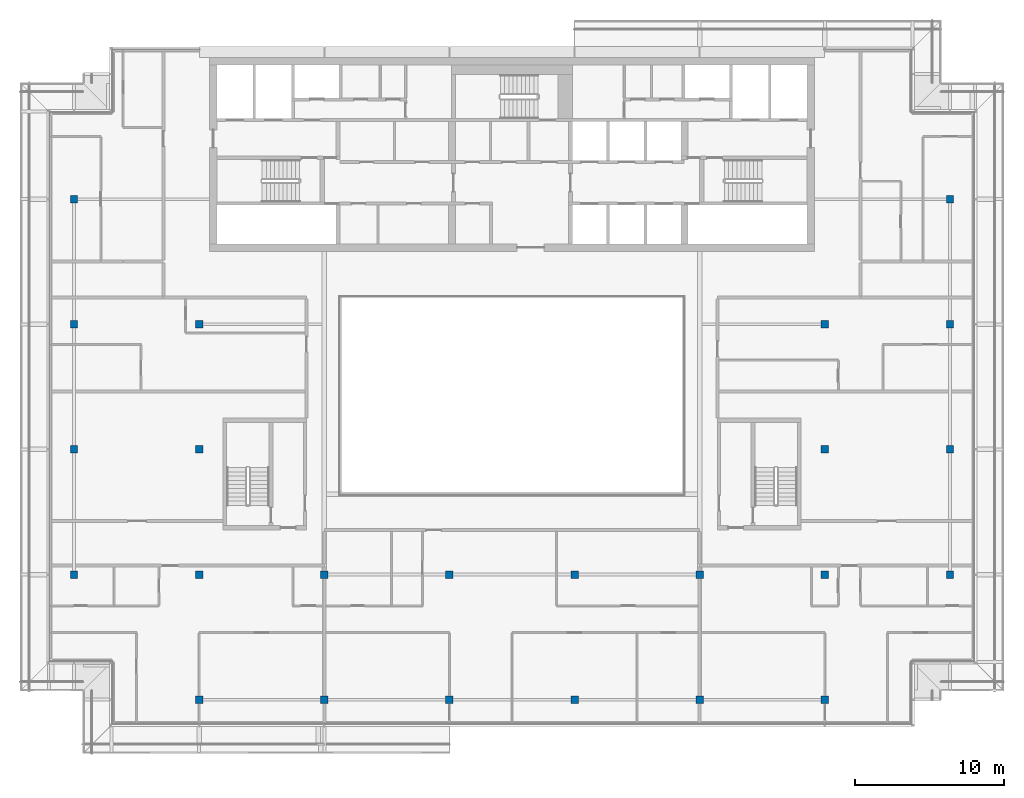
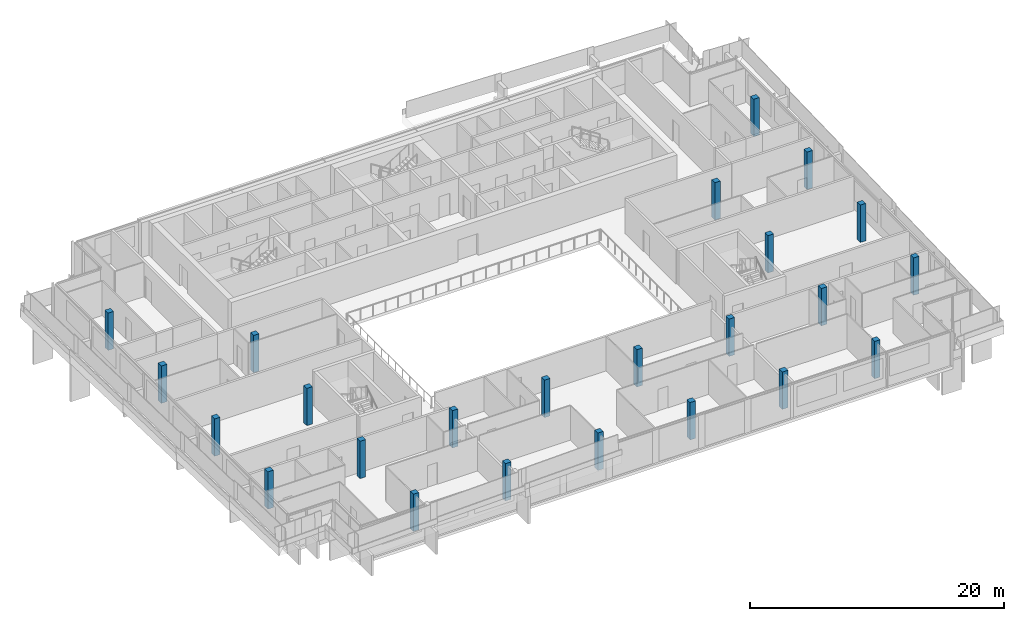
# One storey, part 1 of 27: 24 columns.
"""IFC4 building model written with IfcOpenShell, lengths in metres."""

import ifcopenshell
import ifcopenshell.guid

model = None  # the IFC model being written
_history = None  # IfcOwnerHistory: only IFC2X3 demands one
_inside = {}  # id of a spatial element -> (the spatial element, [elements in it])
_under = {}  # id of a project, library or spatial element -> (it, [spatial elements below it])
_declared = {}  # id of a project -> (the project, [libraries it declares])
_typed = {}  # id of a type object -> (the type object, [elements of that type])
_made_of = {}  # id of a material, layer set ... -> (it, [elements and type objects made of it])


def new_model(schema):
    """Start an empty IFC model of exactly this schema.

    Asked for "IFC4X3", IfcOpenShell would pick the latest addendum, in which some entities
    have other attributes; the version numbers below select the first issue.
    IFC2X3 requires an IfcOwnerHistory on every rooted entity: one is made here for all.
    """
    global model, _history
    if schema == "IFC4X3":
        model = ifcopenshell.file(schema_version=(4, 3, 0, 0))
    else:
        model = ifcopenshell.file(schema=schema)
    _inside.clear()
    _under.clear()
    _declared.clear()
    _typed.clear()
    _made_of.clear()
    _history = None
    if model.schema == "IFC2X3":
        org = make("IfcOrganization", Name="unknown")
        user = make(
            "IfcPersonAndOrganization",
            ThePerson=make("IfcPerson", FamilyName="unknown"),
            TheOrganization=org,
        )
        app = make(
            "IfcApplication",
            ApplicationDeveloper=org,
            Version="unknown",
            ApplicationFullName="unknown",
            ApplicationIdentifier="unknown",
        )
        _history = make(
            "IfcOwnerHistory",
            OwningUser=user,
            OwningApplication=app,
            ChangeAction="ADDED",
            CreationDate=0,
        )
    return model


def make(cls, **values):
    """One entity of the class cls with the attributes given. An attribute that is None is left unset."""
    return model.create_entity(
        cls, **{name: value for name, value in values.items() if value is not None}
    )


def rooted(cls, **values):
    """An entity with a GlobalId (a new one), such as an element, a storey or a relation."""
    return make(cls, GlobalId=ifcopenshell.guid.new(), OwnerHistory=_history, **values)


def si_unit(unit_type, name, prefix=None):
    """IfcSIUnit, for example si_unit("LENGTHUNIT", "METRE", prefix="MILLI")."""
    return make("IfcSIUnit", UnitType=unit_type, Prefix=prefix, Name=name)


def assignment(units):
    """IfcUnitAssignment: the units of a project."""
    return None if units is None else make("IfcUnitAssignment", Units=units)


def point(xyz):
    """IfcCartesianPoint."""
    return None if xyz is None else make("IfcCartesianPoint", Coordinates=xyz)


def direction(xyz):
    """IfcDirection."""
    return None if xyz is None else make("IfcDirection", DirectionRatios=xyz)


def frame(location, z_axis=None, x_axis=None):
    """IfcAxis2Placement3D, a coordinate frame: its origin and axes. An axis left out is left unset."""
    return make(
        "IfcAxis2Placement3D",
        Location=point(location),
        Axis=direction(z_axis),
        RefDirection=direction(x_axis),
    )


def frame_2d(location, x_axis=None):
    """IfcAxis2Placement2D, a coordinate frame in the plane: its origin and x axis."""
    return make(
        "IfcAxis2Placement2D", Location=point(location), RefDirection=direction(x_axis)
    )


def origin():
    """The frame at (0, 0, 0) with its axes left unset."""
    return frame((0.0, 0.0, 0.0))


def origin_2d():
    """The frame at (0, 0) in the plane with its x axis left unset."""
    return frame_2d((0.0, 0.0))


def place(relative_to, where):
    """IfcLocalPlacement: puts the frame where relative to a parent placement (None: the world)."""
    return make(
        "IfcLocalPlacement", PlacementRelTo=relative_to, RelativePlacement=where
    )


def context(
    kind, dimensions, precision=None, world=None, true_north=None, identifier=None
):
    """IfcGeometricRepresentationContext, for example the 3D "Model" context."""
    return make(
        "IfcGeometricRepresentationContext",
        ContextIdentifier=identifier,
        ContextType=kind,
        CoordinateSpaceDimension=dimensions,
        Precision=precision,
        WorldCoordinateSystem=world,
        TrueNorth=true_north,
    )


def subcontext(parent, identifier, kind, view, scale=None):
    """IfcGeometricRepresentationSubContext, for example "Body" below "Model"."""
    return make(
        "IfcGeometricRepresentationSubContext",
        ContextIdentifier=identifier,
        ContextType=kind,
        ParentContext=parent,
        TargetScale=scale,
        TargetView=view,
    )


def project(units=None, contexts=None):
    """IfcProject with its units and contexts."""
    return rooted(
        "IfcProject",
        Name="project",
        RepresentationContexts=contexts,
        UnitsInContext=assignment(units),
    )


def spatial(cls, under=None, at=None, **own):
    """A site, building, storey or space (cls), placed at a placement, below another one or the project."""
    s = rooted(cls, ObjectPlacement=at, **own)
    if under is not None:
        _under.setdefault(under.id(), (under, []))[1].append(s)
    return s


def profile(cls, at=None, kind="AREA", **sizes):
    """A parametric profile (cls). Its sizes go by their IFC names, for example OverallWidth=200.0."""
    return make(cls, ProfileType=kind, Position=at, **sizes)


def rectangle(**sizes):
    """IfcRectangleProfileDef."""
    return profile("IfcRectangleProfileDef", **sizes)


def extrude(swept, where, along, depth):
    """IfcExtrudedAreaSolid: the profile swept, set in the frame where, extruded along a direction by depth."""
    return make(
        "IfcExtrudedAreaSolid",
        SweptArea=swept,
        Position=where,
        ExtrudedDirection=direction(along),
        Depth=depth,
    )


def shape(context_of_items, identifier, shape_type, items):
    """IfcShapeRepresentation: the items that make up one representation, for example the "Body"."""
    return make(
        "IfcShapeRepresentation",
        ContextOfItems=context_of_items,
        RepresentationIdentifier=identifier,
        RepresentationType=shape_type,
        Items=items,
    )


def material(Name=None, Category=None):
    """IfcMaterial."""
    return make("IfcMaterial", Name=Name, Category=Category)


def material_profile(
    of_material, cross_section, Name=None, Category=None, Priority=None
):
    """IfcMaterialProfile: a cross section and its material."""
    return make(
        "IfcMaterialProfile",
        Name=Name,
        Material=of_material,
        Profile=cross_section,
        Priority=Priority,
        Category=Category,
    )


def profile_set(profiles, Name=None, composite=None):
    """IfcMaterialProfileSet."""
    return make(
        "IfcMaterialProfileSet",
        Name=Name,
        MaterialProfiles=profiles,
        CompositeProfile=composite,
    )


def made_of(thing, what):
    """Note that an element or type object is made of a material, layer set ...; save() writes the relation."""
    if what is not None:
        _made_of.setdefault(what.id(), (what, []))[1].append(thing)
    return thing


def type_object(cls, material=None, **own):
    """A type object (cls), such as IfcWallType, which elements share."""
    return made_of(rooted(cls, **own), material)


def element(
    cls,
    number,
    at=None,
    inside=None,
    cuts=None,
    type_object=None,
    material=None,
    context=None,
    identifier="Body",
    shape_type=None,
    held_by="IfcProductDefinitionShape",
    body=None,
    shapes=None,
    **own,
):
    """One element of the class cls, such as IfcWall. Its Tag is "e" and its number.

    at: its placement. inside: the storey or other place that contains it. cuts: it is an
    opening in that element (IfcRelVoidsElement). A single representation is given by context,
    identifier, shape_type and body (its items); several are given by shapes. held_by: the class
    of the entity that holds the representations. save() writes the other relations.
    """
    e = rooted(cls, Tag="e%d" % number, ObjectPlacement=at, **own)
    if body is not None:
        shapes = [shape(context, identifier, shape_type, body)]
    if shapes is not None:
        e.Representation = make(held_by, Representations=shapes)
    if inside is not None:
        _inside.setdefault(inside.id(), (inside, []))[1].append(e)
    if cuts is not None:
        rooted(
            "IfcRelVoidsElement", RelatingBuildingElement=cuts, RelatedOpeningElement=e
        )
    if type_object is not None:
        _typed.setdefault(type_object.id(), (type_object, []))[1].append(e)
    return made_of(e, material)


def aggregate(whole, parts):
    """IfcRelAggregates: a whole, such as a stair, and the parts it consists of."""
    return rooted("IfcRelAggregates", RelatingObject=whole, RelatedObjects=parts)


def save(model, path):
    """Write the relations noted so far, then the file.

    IfcRelAggregates (storeys below a building ...), IfcRelContainedInSpatialStructure (elements
    in a storey), IfcRelDefinesByType, IfcRelAssociatesMaterial and IfcRelDeclares: one each for
    every whole, place, type object, material and project.
    """
    for whole, parts in _under.values():
        aggregate(whole, parts)
    for where, things in _inside.values():
        rooted(
            "IfcRelContainedInSpatialStructure",
            RelatedElements=things,
            RelatingStructure=where,
        )
    for kind, things in _typed.values():
        rooted("IfcRelDefinesByType", RelatedObjects=things, RelatingType=kind)
    for what, things in _made_of.values():
        rooted("IfcRelAssociatesMaterial", RelatedObjects=things, RelatingMaterial=what)
    for by, libraries in _declared.values():
        rooted("IfcRelDeclares", RelatingContext=by, RelatedDefinitions=libraries)
    model.write(path)


model = new_model("IFC4")

# Units and contexts
model_context = context("Model", 3, precision=1e-05, world=origin(), true_north=direction((0.0, 1.0)))
body_context = subcontext(model_context, "Body", "Model", "MODEL_VIEW")
ifc_project = project(units=[si_unit("LENGTHUNIT", "METRE"), si_unit("AREAUNIT", "SQUARE_METRE"), si_unit("VOLUMEUNIT", "CUBIC_METRE"), si_unit("PLANEANGLEUNIT", "RADIAN"), si_unit("MASSUNIT", "GRAM", prefix="KILO")], contexts=[model_context])

# Site, building, storey
site_placement = place(None, origin())
site = spatial("IfcSite", under=ifc_project, at=site_placement, CompositionType="ELEMENT")
building_placement = place(site_placement, origin())
building = spatial("IfcBuilding", under=site, at=building_placement, Name="Saffron Gate Tower", CompositionType="ELEMENT")
storey_placement = place(building_placement, frame((0.0, 0.0, 274.35009765625)))
storey = spatial("IfcBuildingStorey", under=building, at=storey_placement, Name="L66", CompositionType="ELEMENT", Elevation=274.35009765625)

# Columns
ifc_material = material(Name="Concrete C40", Category="concrete")
ifc_material_profile = material_profile(ifc_material, rectangle(XDim=0.5, YDim=0.5, at=origin_2d()))
ifc_profile_set = profile_set([ifc_material_profile], Name="Concrete C40")
column_type = type_object("IfcColumnType", Name="C1 RC 500x500 CONCRETE C40", PredefinedType="COLUMN", material=ifc_profile_set)
for number, where, z_axis, x_axis, name in (
    (1, (58.199951171875, 40.199951171875, 0.0), (0.0, 0.0, 1.0), (1.0, 0.0, 0.0), "C1 COLUMN X2-B"),
    (2, (58.199951171875, 48.60009765625, 0.0), (0.0, 0.0, 1.0), (1.0, 0.0, 0.0), "C1 COLUMN X2-C"),
    (3, (58.199951171875, 57.0, 0.0), (0.0, 0.0, 1.0), (1.0, 0.0, 0.0), "C1 COLUMN X2-D"),
    (4, (58.199951171875, 65.39990234375, 0.0), (0.0, 0.0, 1.0), (1.0, 0.0, 0.0), "C1 COLUMN X2-E"),
    (5, (66.60009765625, 31.800048828125, 0.0), (0.0, 0.0, 1.0), (1.0, 0.0, 0.0), "C1 COLUMN X3-A"),
    (6, (66.60009765625, 40.199951171875, 0.0), (0.0, 0.0, 1.0), (1.0, 0.0, 0.0), "C1 COLUMN X3-B"),
    (7, (66.60009765625, 48.60009765625, 0.0), (0.0, 0.0, 1.0), (1.0, 0.0, 0.0), "C1 COLUMN X3-C"),
    (8, (66.60009765625, 57.0, 0.0), (0.0, 0.0, 1.0), (1.0, 0.0, 0.0), "C1 COLUMN X3-D"),
    (9, (75.0, 31.800048828125, 0.0), (0.0, 0.0, 1.0), (1.0, 0.0, 0.0), "C1 COLUMN X4-A"),
    (10, (75.0, 40.199951171875, 0.0), (0.0, 0.0, 1.0), (1.0, 0.0, 0.0), "C1 COLUMN X4-B"),
    (11, (83.39990234375, 31.800048828125, 0.0), (0.0, 0.0, 1.0), (1.0, 0.0, 0.0), "C1 COLUMN X5-A"),
    (12, (83.39990234375, 40.199951171875, 0.0), (0.0, 0.0, 1.0), (1.0, 0.0, 0.0), "C1 COLUMN X5-B"),
    (13, (91.800048828125, 31.800048828125, 0.0), (0.0, 0.0, 1.0), (1.0, 0.0, 0.0), "C1 COLUMN X6-A"),
    (14, (91.800048828125, 40.199951171875, 0.0), (0.0, 0.0, 1.0), (1.0, 0.0, 0.0), "C1 COLUMN X6-B"),
    (15, (100.199951171875, 31.800048828125, 0.0), (0.0, 0.0, 1.0), (1.0, 0.0, 0.0), "C1 COLUMN X7-A"),
    (16, (100.199951171875, 40.199951171875, 0.0), (0.0, 0.0, 1.0), (1.0, 0.0, 0.0), "C1 COLUMN X7-B"),
    (17, (108.60009765625, 31.800048828125, 0.0), (0.0, 0.0, 1.0), (1.0, 0.0, 0.0), "C1 COLUMN X8-A"),
    (18, (108.60009765625, 40.199951171875, 0.0), (0.0, 0.0, 1.0), (1.0, 0.0, 0.0), "C1 COLUMN X8-B"),
    (19, (108.60009765625, 48.60009765625, 0.0), (0.0, 0.0, 1.0), (1.0, 0.0, 0.0), "C1 COLUMN X8-C"),
    (20, (108.60009765625, 57.0, 0.0), (0.0, 0.0, 1.0), (1.0, 0.0, 0.0), "C1 COLUMN X8-D"),
    (21, (117.0, 40.199951171875, 0.0), (0.0, 0.0, 1.0), (1.0, 0.0, 0.0), "C1 COLUMN X9-B"),
    (22, (117.0, 48.60009765625, 0.0), (0.0, 0.0, 1.0), (1.0, 0.0, 0.0), "C1 COLUMN X9-C"),
    (23, (117.0, 57.0, 0.0), (0.0, 0.0, 1.0), (1.0, 0.0, 0.0), "C1 COLUMN X9-D"),
    (24, (117.0, 65.39990234375, 0.0), (0.0, 0.0, 1.0), (1.0, 0.0, 0.0), "C1 COLUMN X9-E"),
):
    element("IfcColumn", number, at=place(storey_placement, frame(where, z_axis=z_axis, x_axis=x_axis)), inside=storey, type_object=column_type, Name=name, PredefinedType="COLUMN", context=body_context, shape_type="SweptSolid", body=[
        extrude(rectangle(XDim=0.5, YDim=0.5, at=origin_2d()), origin(), (0.0, 0.0, 1.0), 3.599853515625),
    ])

save(model, "model.ifc")
